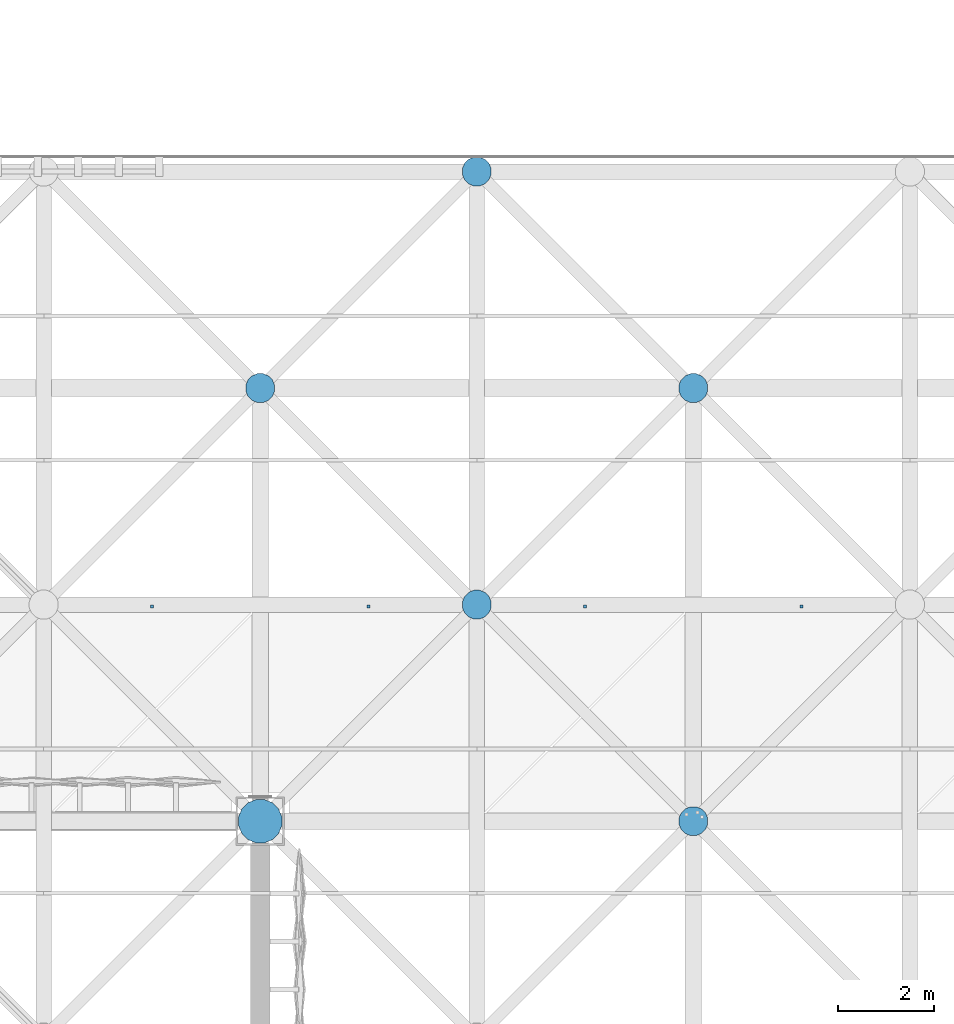
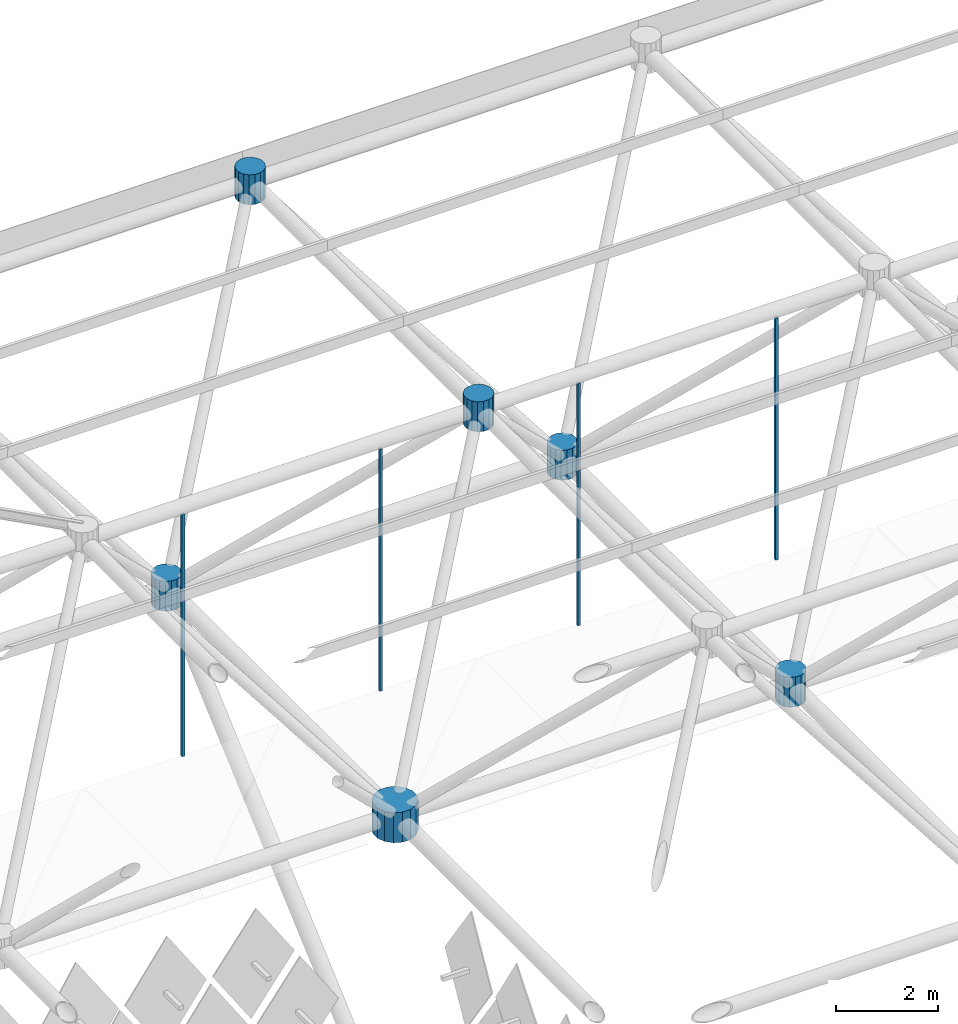
# One storey, part 324 of 437: 10 discrete accessories.
"""IFC4 building model written with IfcOpenShell, lengths in metres."""

from ifc_helpers import new_model, si_unit, direction, frame, origin, place, context, subcontext, project, spatial, polyline, outline, extrude, material, type_object, element, save


model = new_model("IFC4")

# Units and contexts
model_context = context("Model", 3, precision=1e-05, world=origin(), true_north=direction((0.0, 1.0)))
body_context = subcontext(model_context, "Body", "Model", "MODEL_VIEW")
ifc_project = project(units=[si_unit("LENGTHUNIT", "METRE"), si_unit("AREAUNIT", "SQUARE_METRE"), si_unit("VOLUMEUNIT", "CUBIC_METRE"), si_unit("PLANEANGLEUNIT", "RADIAN"), si_unit("MASSUNIT", "GRAM", prefix="KILO")], contexts=[model_context])

# Site, building, storey
site_placement = place(None, origin())
site = spatial("IfcSite", under=ifc_project, at=site_placement, CompositionType="ELEMENT")
building_placement = place(site_placement, origin())
building = spatial("IfcBuilding", under=site, at=building_placement, Name="Opaline Strait Convention Centre", CompositionType="ELEMENT")
storey_placement = place(building_placement, frame((0.0, 0.0, 11.5)))
storey = spatial("IfcBuildingStorey", under=building, at=storey_placement, Name="L02", CompositionType="ELEMENT", Elevation=11.5)

# Discrete accessories
ifc_material_1 = material(Name="Steel Q355B", Category="steel")
discrete_accessory_type_1 = type_object("IfcDiscreteAccessoryType", Name="Soffit hanger 60x60 steel", PredefinedType="BRACKET", material=ifc_material_1)
discrete_accessory_1_placement = place(storey_placement, frame((0.0, 0.0, 11.9912109375)))
element("IfcDiscreteAccessory", 1, at=discrete_accessory_1_placement, inside=storey, type_object=discrete_accessory_type_1, Name="Soffit hanger", PredefinedType="BRACKET", context=body_context, shape_type="SweptSolid", body=[
    extrude(outline(polyline([(150.719970703125, 157.43505859375), (150.780029296875, 157.43505859375), (150.780029296875, 157.4951171875), (150.719970703125, 157.4951171875), (150.719970703125, 157.43505859375)])), origin(), (0.0, 0.0, 1.0), 5.81787109375),
])
discrete_accessory_2_placement = place(storey_placement, frame((0.0, 0.0, 11.989990234375)))
element("IfcDiscreteAccessory", 2, at=discrete_accessory_2_placement, inside=storey, type_object=discrete_accessory_type_1, Name="Soffit hanger", PredefinedType="BRACKET", context=body_context, shape_type="SweptSolid", body=[
    extrude(outline(polyline([(155.219970703125, 157.43505859375), (155.280029296875, 157.43505859375), (155.280029296875, 157.4951171875), (155.219970703125, 157.4951171875), (155.219970703125, 157.43505859375)])), origin(), (0.0, 0.0, 1.0), 5.819091796875),
])
discrete_accessory_3_placement = place(storey_placement, frame((0.0, 0.0, 11.989990234375)))
element("IfcDiscreteAccessory", 3, at=discrete_accessory_3_placement, inside=storey, type_object=discrete_accessory_type_1, Name="Soffit hanger", PredefinedType="BRACKET", context=body_context, shape_type="SweptSolid", body=[
    extrude(outline(polyline([(159.719970703125, 157.43505859375), (159.780029296875, 157.43505859375), (159.780029296875, 157.4951171875), (159.719970703125, 157.4951171875), (159.719970703125, 157.43505859375)])), origin(), (0.0, 0.0, 1.0), 5.819091796875),
])
discrete_accessory_4_placement = place(storey_placement, frame((0.0, 0.0, 11.989990234375)))
element("IfcDiscreteAccessory", 4, at=discrete_accessory_4_placement, inside=storey, type_object=discrete_accessory_type_1, Name="Soffit hanger", PredefinedType="BRACKET", context=body_context, shape_type="SweptSolid", body=[
    extrude(outline(polyline([(164.219970703125, 157.43505859375), (164.280029296875, 157.43505859375), (164.280029296875, 157.4951171875), (164.219970703125, 157.4951171875), (164.219970703125, 157.43505859375)])), origin(), (0.0, 0.0, 1.0), 5.819091796875),
])
ifc_material_2 = material(Name="Cast steel ZG300-500H (300 MPa)", Category="steel")
discrete_accessory_type_2 = type_object("IfcDiscreteAccessoryType", Name="Space frame bearing node hub D900", PredefinedType="USERDEFINED", material=ifc_material_2)
discrete_accessory_5_placement = place(storey_placement, frame((0.0, 0.0, 12.139892578125)))
element("IfcDiscreteAccessory", 5, at=discrete_accessory_5_placement, inside=storey, type_object=discrete_accessory_type_2, Name="Bottom node 8/13", ObjectType="NODE HUB", PredefinedType="USERDEFINED", context=body_context, shape_type="SweptSolid", body=[
    extrude(outline(polyline([(153.449951171875, 153.089599609375), (153.381591796875, 153.2548828125), (153.2548828125, 153.381591796875), (153.089599609375, 153.449951171875), (152.910400390625, 153.449951171875), (152.7451171875, 153.381591796875), (152.618408203125, 153.2548828125), (152.550048828125, 153.089599609375), (152.550048828125, 152.910400390625), (152.618408203125, 152.7451171875), (152.7451171875, 152.618408203125), (152.910400390625, 152.550048828125), (153.089599609375, 152.550048828125), (153.2548828125, 152.618408203125), (153.381591796875, 152.7451171875), (153.449951171875, 152.910400390625), (153.449951171875, 153.089599609375)])), origin(), (0.0, 0.0, 1.0), 0.72021484375),
])
discrete_accessory_type_3 = type_object("IfcDiscreteAccessoryType", Name="Space frame node hub D600", PredefinedType="USERDEFINED", material=ifc_material_2)
discrete_accessory_6_placement = place(storey_placement, frame((0.0, 0.0, 17.611572265625)))
element("IfcDiscreteAccessory", 6, at=discrete_accessory_6_placement, inside=storey, type_object=discrete_accessory_type_3, Name="Top node 9/14", ObjectType="NODE HUB", PredefinedType="USERDEFINED", context=body_context, shape_type="SweptSolid", body=[
    extrude(outline(polyline([(157.800048828125, 157.559814453125), (157.75439453125, 157.669921875), (157.669921875, 157.75439453125), (157.559814453125, 157.800048828125), (157.440185546875, 157.800048828125), (157.330078125, 157.75439453125), (157.24560546875, 157.669921875), (157.199951171875, 157.559814453125), (157.199951171875, 157.440185546875), (157.24560546875, 157.330078125), (157.330078125, 157.24560546875), (157.440185546875, 157.199951171875), (157.559814453125, 157.199951171875), (157.669921875, 157.24560546875), (157.75439453125, 157.330078125), (157.800048828125, 157.440185546875), (157.800048828125, 157.559814453125)])), origin(), (0.0, 0.0, 1.0), 0.719970703125),
])
discrete_accessory_7_placement = place(storey_placement, frame((0.0, 0.0, 17.611572265625)))
element("IfcDiscreteAccessory", 7, at=discrete_accessory_7_placement, inside=storey, type_object=discrete_accessory_type_3, Name="Top node 9/15", ObjectType="NODE HUB", PredefinedType="USERDEFINED", context=body_context, shape_type="SweptSolid", body=[
    extrude(outline(polyline([(157.800048828125, 166.559814453125), (157.75439453125, 166.669921875), (157.669921875, 166.75439453125), (157.559814453125, 166.800048828125), (157.440185546875, 166.800048828125), (157.330078125, 166.75439453125), (157.24560546875, 166.669921875), (157.199951171875, 166.559814453125), (157.199951171875, 166.440185546875), (157.24560546875, 166.330078125), (157.330078125, 166.24560546875), (157.440185546875, 166.199951171875), (157.559814453125, 166.199951171875), (157.669921875, 166.24560546875), (157.75439453125, 166.330078125), (157.800048828125, 166.440185546875), (157.800048828125, 166.559814453125)])), origin(), (0.0, 0.0, 1.0), 0.719970703125),
])
discrete_accessory_8_placement = place(storey_placement, frame((0.0, 0.0, 12.139892578125)))
element("IfcDiscreteAccessory", 8, at=discrete_accessory_8_placement, inside=storey, type_object=discrete_accessory_type_3, Name="Bottom node 8/14", ObjectType="NODE HUB", PredefinedType="USERDEFINED", context=body_context, shape_type="SweptSolid", body=[
    extrude(outline(polyline([(153.300048828125, 162.059814453125), (153.25439453125, 162.169921875), (153.169921875, 162.25439453125), (153.059814453125, 162.300048828125), (152.940185546875, 162.300048828125), (152.830078125, 162.25439453125), (152.74560546875, 162.169921875), (152.699951171875, 162.059814453125), (152.699951171875, 161.940185546875), (152.74560546875, 161.830078125), (152.830078125, 161.74560546875), (152.940185546875, 161.699951171875), (153.059814453125, 161.699951171875), (153.169921875, 161.74560546875), (153.25439453125, 161.830078125), (153.300048828125, 161.940185546875), (153.300048828125, 162.059814453125)])), origin(), (0.0, 0.0, 1.0), 0.72021484375),
])
discrete_accessory_9_placement = place(storey_placement, frame((0.0, 0.0, 12.139892578125)))
element("IfcDiscreteAccessory", 9, at=discrete_accessory_9_placement, inside=storey, type_object=discrete_accessory_type_3, Name="Bottom node 9/13", ObjectType="NODE HUB", PredefinedType="USERDEFINED", context=body_context, shape_type="SweptSolid", body=[
    extrude(outline(polyline([(162.300048828125, 153.059814453125), (162.25439453125, 153.169921875), (162.169921875, 153.25439453125), (162.059814453125, 153.300048828125), (161.940185546875, 153.300048828125), (161.830078125, 153.25439453125), (161.74560546875, 153.169921875), (161.699951171875, 153.059814453125), (161.699951171875, 152.940185546875), (161.74560546875, 152.830078125), (161.830078125, 152.74560546875), (161.940185546875, 152.699951171875), (162.059814453125, 152.699951171875), (162.169921875, 152.74560546875), (162.25439453125, 152.830078125), (162.300048828125, 152.940185546875), (162.300048828125, 153.059814453125)])), origin(), (0.0, 0.0, 1.0), 0.72021484375),
])
discrete_accessory_10_placement = place(storey_placement, frame((0.0, 0.0, 12.139892578125)))
element("IfcDiscreteAccessory", 10, at=discrete_accessory_10_placement, inside=storey, type_object=discrete_accessory_type_3, Name="Bottom node 9/14", ObjectType="NODE HUB", PredefinedType="USERDEFINED", context=body_context, shape_type="SweptSolid", body=[
    extrude(outline(polyline([(162.300048828125, 162.059814453125), (162.25439453125, 162.169921875), (162.169921875, 162.25439453125), (162.059814453125, 162.300048828125), (161.940185546875, 162.300048828125), (161.830078125, 162.25439453125), (161.74560546875, 162.169921875), (161.699951171875, 162.059814453125), (161.699951171875, 161.940185546875), (161.74560546875, 161.830078125), (161.830078125, 161.74560546875), (161.940185546875, 161.699951171875), (162.059814453125, 161.699951171875), (162.169921875, 161.74560546875), (162.25439453125, 161.830078125), (162.300048828125, 161.940185546875), (162.300048828125, 162.059814453125)])), origin(), (0.0, 0.0, 1.0), 0.72021484375),
])

save(model, "model.ifc")
